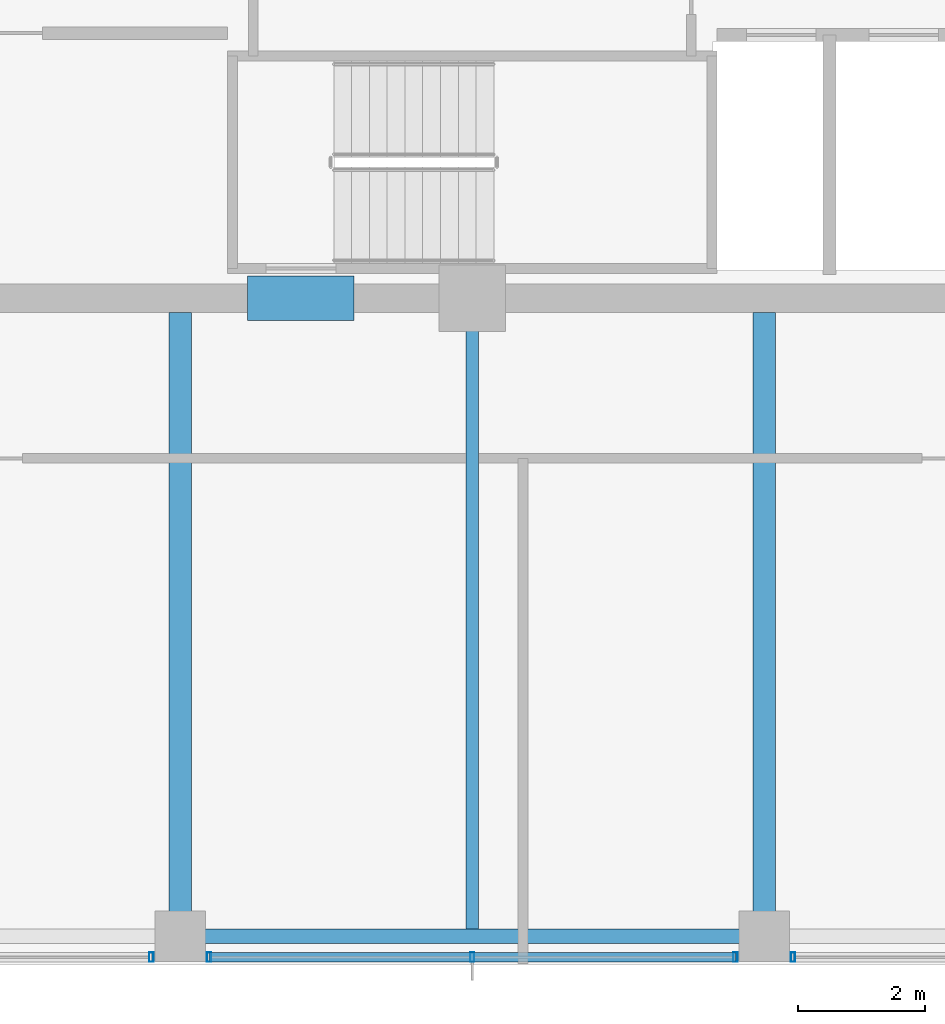
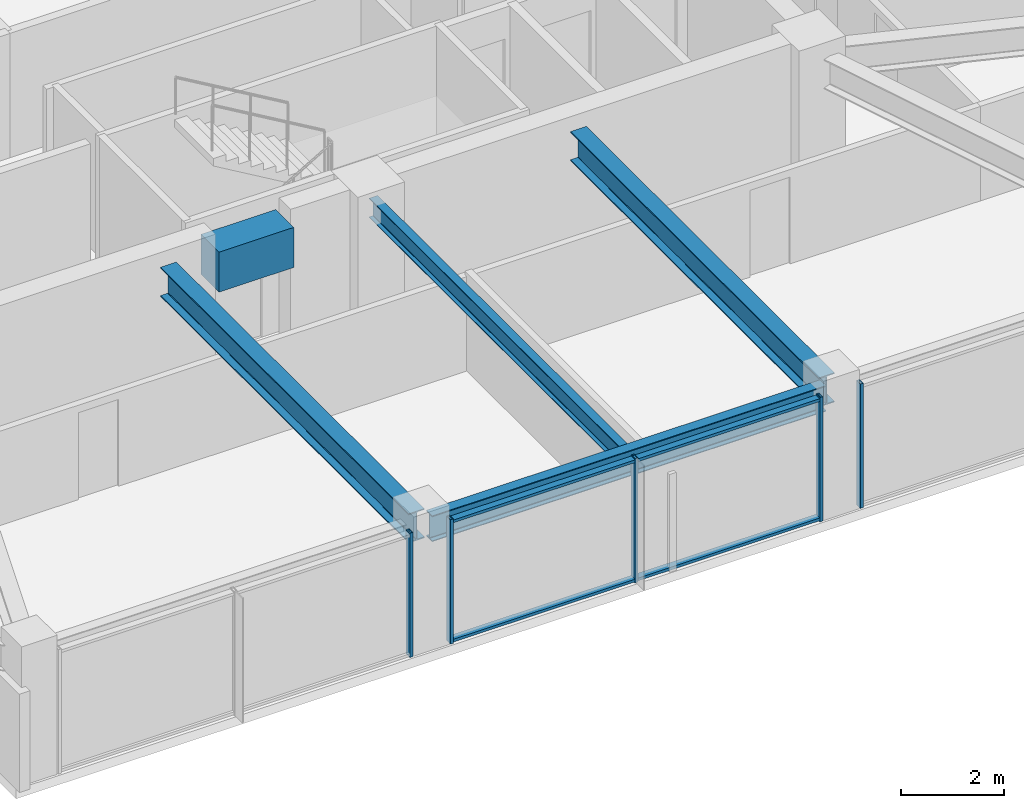
# One storey, part 5 of 34: 7 members, 5 beams, 3 elements without a shape of their own.
"""IFC4 building model written with IfcOpenShell, lengths in metres."""

from ifc_helpers import new_model, si_unit, direction, frame, origin, origin_2d, place, context, subcontext, project, spatial, rectangle, hollow_rectangle, i_section, extrude, material, material_profile, profile_set, type_object, element, aggregate, save


model = new_model("IFC4")

# Units and contexts
model_context = context("Model", 3, precision=1e-05, world=origin(), true_north=direction((0.0, 1.0)))
body_context = subcontext(model_context, "Body", "Model", "MODEL_VIEW")
ifc_project = project(units=[si_unit("LENGTHUNIT", "METRE"), si_unit("AREAUNIT", "SQUARE_METRE"), si_unit("VOLUMEUNIT", "CUBIC_METRE"), si_unit("PLANEANGLEUNIT", "RADIAN"), si_unit("MASSUNIT", "GRAM", prefix="KILO")], contexts=[model_context])

# Site, building, storey
site_placement = place(None, origin())
site = spatial("IfcSite", under=ifc_project, at=site_placement, CompositionType="ELEMENT")
building_placement = place(site_placement, origin())
building = spatial("IfcBuilding", under=site, at=building_placement, Name="Kolvaren Belvedere", CompositionType="ELEMENT")
storey_placement = place(building_placement, frame((0.0, 0.0, 229.5)))
storey = spatial("IfcBuildingStorey", under=building, at=storey_placement, Name="L67", CompositionType="ELEMENT", Elevation=229.5)

# Beams
ifc_material_1 = material(Name="Structural steel ASTM A992 Grade 50", Category="steel")
ifc_material_profile_1 = material_profile(ifc_material_1, i_section(OverallWidth=0.35498046875, OverallDepth=0.696044921875, WebThickness=0.015380859375, FlangeThickness=0.02490234375, FilletRadius=0.02197265625, at=origin_2d()), Name="W27X146")
ifc_profile_set_1 = profile_set([ifc_material_profile_1], Name="Structural steel ASTM A992 Grade 50")
beam_type_1 = type_object("IfcBeamType", Name="BM-GIRD-W27X146", PredefinedType="BEAM", material=ifc_profile_set_1)
for number, where, z_axis, x_axis, name in (
    (1, (4.60009765625, -10.125, 2.60205078125), (0.0, -1.0, 0.0), (1.0, 0.0, 0.0), "L67 South Radial Girder P"),
    (2, (-4.60009765625, -10.125, 2.60205078125), (0.0, -1.0, 0.0), (1.0, 0.0, 0.0), "L67 South Radial Girder M"),
):
    element("IfcBeam", number, at=place(storey_placement, frame(where, z_axis=z_axis, x_axis=x_axis)), inside=storey, type_object=beam_type_1, Name=name, PredefinedType="BEAM", context=body_context, shape_type="SweptSolid", body=[
        extrude(i_section(OverallWidth=0.35498046875, OverallDepth=0.696044921875, WebThickness=0.015380859375, FlangeThickness=0.02490234375, FilletRadius=0.02197265625, at=origin_2d()), origin(), (0.0, 0.0, 1.0), 9.64501953125),
    ])
ifc_material_2 = material(Name="Structural steel ASTM A992 Grade 50", Category="steel")
ifc_material_profile_2 = material_profile(ifc_material_2, i_section(OverallWidth=0.19091796875, OverallDepth=0.4599609375, WebThickness=0.010009765625, FlangeThickness=0.01611328125, FilletRadius=0.014892578125, at=origin_2d()), Name="W18X55")
ifc_profile_set_2 = profile_set([ifc_material_profile_2], Name="Structural steel ASTM A992 Grade 50")
beam_type_2 = type_object("IfcBeamType", Name="BM-JOIST-W18X55", PredefinedType="BEAM", material=ifc_profile_set_2)
beam_1_placement = place(storey_placement, frame((0.0, -10.125, 2.719970703125), z_axis=(0.0, -1.0, 0.0), x_axis=(1.0, 0.0, 0.0)))
element("IfcBeam", 3, at=beam_1_placement, inside=storey, type_object=beam_type_2, Name="L67 South Centre Floor Beam", PredefinedType="BEAM", context=body_context, shape_type="SweptSolid", body=[
    extrude(i_section(OverallWidth=0.19091796875, OverallDepth=0.4599609375, WebThickness=0.010009765625, FlangeThickness=0.01611328125, FilletRadius=0.014892578125, at=origin_2d()), origin(), (0.0, 0.0, 1.0), 9.71044921875),
])
ifc_material_3 = material(Name="Concrete C60/75", Category="concrete")
ifc_material_profile_3 = material_profile(ifc_material_3, rectangle(XDim=0.699951171875, YDim=0.949951171875, at=origin_2d()), Name="RC 700X950")
ifc_profile_set_3 = profile_set([ifc_material_profile_3], Name="Concrete C60/75")
beam_type_3 = type_object("IfcBeamType", Name="BM-LINT-950", PredefinedType="LINTEL", material=ifc_profile_set_3)
beam_2_placement = place(storey_placement, frame((-3.5400390625, -9.89990234375, 2.47509765625), z_axis=(1.0, 0.0, 0.0), x_axis=(0.0, 1.0, 0.0)))
element("IfcBeam", 4, at=beam_2_placement, inside=storey, type_object=beam_type_3, Name="L67 South Core Coupling Lintel", PredefinedType="LINTEL", context=body_context, shape_type="SweptSolid", body=[
    extrude(rectangle(XDim=0.699951171875, YDim=0.949951171875, at=origin_2d()), origin(), (0.0, 0.0, 1.0), 1.679931640625),
])
ifc_material_4 = material(Name="Structural steel ASTM A992 Grade 50", Category="steel")
ifc_material_profile_4 = material_profile(ifc_material_4, i_section(OverallWidth=0.22900390625, OverallDepth=0.612060546875, WebThickness=0.011962890625, FlangeThickness=0.01953125, FilletRadius=0.01806640625, at=origin_2d()), Name="W24X84")
ifc_profile_set_4 = profile_set([ifc_material_profile_4], Name="Structural steel ASTM A992 Grade 50")
beam_type_4 = type_object("IfcBeamType", Name="BM-SPAN-W24X84", PredefinedType="SPANDREL", material=ifc_profile_set_4)
beam_3_placement = place(storey_placement, frame((-4.419921875, -19.949951171875, 2.64404296875), z_axis=(1.0, 0.0, 0.0), x_axis=(0.0, 1.0, 0.0)))
element("IfcBeam", 5, at=beam_3_placement, inside=storey, type_object=beam_type_4, Name="L67 Perimeter Spandrel S2-S3", PredefinedType="SPANDREL", context=body_context, shape_type="SweptSolid", body=[
    extrude(i_section(OverallWidth=0.22900390625, OverallDepth=0.612060546875, WebThickness=0.011962890625, FlangeThickness=0.01953125, FilletRadius=0.01806640625, at=origin_2d()), origin(), (0.0, 0.0, 1.0), 8.83984375),
])

# Curtain wall, member
ifc_material_5 = material(Name="Anodised pale-metal aluminium AA 6063-T6", Category="aluminium")
curtain_wall_type = type_object("IfcCurtainWallType", Name="CW-Z5-HIGH", PredefinedType="NOTDEFINED", material=ifc_material_5)
curtain_wall_1_placement = place(storey_placement, origin())
curtain_wall_1 = element("IfcCurtainWall", 6, at=curtain_wall_1_placement, inside=storey, type_object=curtain_wall_type, Name="L67 Unitised Curtain Wall FCW-L67-S-B1", PredefinedType="NOTDEFINED")
ifc_material_6 = material(Name="Anodised pale-metal aluminium AA 6063-T6", Category="aluminium")
ifc_material_profile_5 = material_profile(ifc_material_6, hollow_rectangle(XDim=0.070068359375, YDim=0.14990234375, WallThickness=0.004150390625, at=origin_2d()), Name="ALU-MUL-150X70")
ifc_profile_set_5 = profile_set([ifc_material_profile_5], Name="Anodised pale-metal aluminium AA 6063-T6")
member_type_1 = type_object("IfcMemberType", Name="CW-MUL-150", PredefinedType="MULLION", material=ifc_profile_set_5)
member_1_placement = place(storey_placement, frame((5.054931640625, -20.280029296875, 0.0), z_axis=(0.0, 0.0, 1.0), x_axis=(1.0, 0.0, 0.0)))
member_1 = element("IfcMember", 7, at=member_1_placement, type_object=member_type_1, Name="FCW-L67-S-B1 Unitised Mullion 3", PredefinedType="MULLION", context=body_context, shape_type="SweptSolid", body=[
    extrude(hollow_rectangle(XDim=0.070068359375, YDim=0.14990234375, WallThickness=0.004150390625, at=origin_2d()), origin(), (0.0, 0.0, 1.0), 2.949951171875),
])
aggregate(curtain_wall_1, [member_1])

# Curtain wall, members
curtain_wall_2_placement = place(storey_placement, origin())
curtain_wall_2 = element("IfcCurtainWall", 8, at=curtain_wall_2_placement, inside=storey, type_object=curtain_wall_type, Name="L67 Unitised Curtain Wall FCW-L67-S-B2", PredefinedType="NOTDEFINED")
member_2_placement = place(storey_placement, frame((4.14501953125, -20.280029296875, 0.0), z_axis=(0.0, 0.0, 1.0), x_axis=(1.0, 0.0, 0.0)))
member_2 = element("IfcMember", 9, at=member_2_placement, type_object=member_type_1, Name="FCW-L67-S-B2 Unitised Mullion 1", PredefinedType="MULLION", context=body_context, shape_type="SweptSolid", body=[
    extrude(hollow_rectangle(XDim=0.070068359375, YDim=0.14990234375, WallThickness=0.004150390625, at=origin_2d()), origin(), (0.0, 0.0, 1.0), 2.949951171875),
])
member_3_placement = place(storey_placement, frame((0.0, -20.280029296875, 0.0), z_axis=(0.0, 0.0, 1.0), x_axis=(1.0, 0.0, 0.0)))
member_3 = element("IfcMember", 10, at=member_3_placement, type_object=member_type_1, Name="FCW-L67-S-B2 Unitised Mullion 2", PredefinedType="MULLION", context=body_context, shape_type="SweptSolid", body=[
    extrude(hollow_rectangle(XDim=0.070068359375, YDim=0.14990234375, WallThickness=0.004150390625, at=origin_2d()), origin(), (0.0, 0.0, 1.0), 2.949951171875),
])
member_4_placement = place(storey_placement, frame((-4.14501953125, -20.280029296875, 0.0), z_axis=(0.0, 0.0, 1.0), x_axis=(1.0, 0.0, 0.0)))
member_4 = element("IfcMember", 11, at=member_4_placement, type_object=member_type_1, Name="FCW-L67-S-B2 Unitised Mullion 3", PredefinedType="MULLION", context=body_context, shape_type="SweptSolid", body=[
    extrude(hollow_rectangle(XDim=0.070068359375, YDim=0.14990234375, WallThickness=0.004150390625, at=origin_2d()), origin(), (0.0, 0.0, 1.0), 2.949951171875),
])

# Curtain wall, member
curtain_wall_3_placement = place(storey_placement, origin())
curtain_wall_3 = element("IfcCurtainWall", 12, at=curtain_wall_3_placement, inside=storey, type_object=curtain_wall_type, Name="L67 Unitised Curtain Wall FCW-L67-S-B3", PredefinedType="NOTDEFINED")
member_5_placement = place(storey_placement, frame((-5.054931640625, -20.280029296875, 0.0), z_axis=(0.0, 0.0, 1.0), x_axis=(1.0, 0.0, 0.0)))
member_5 = element("IfcMember", 13, at=member_5_placement, type_object=member_type_1, Name="FCW-L67-S-B3 Unitised Mullion 1", PredefinedType="MULLION", context=body_context, shape_type="SweptSolid", body=[
    extrude(hollow_rectangle(XDim=0.070068359375, YDim=0.14990234375, WallThickness=0.004150390625, at=origin_2d()), origin(), (0.0, 0.0, 1.0), 2.949951171875),
])
aggregate(curtain_wall_3, [member_5])

# Member
ifc_material_7 = material(Name="Anodised pale-metal aluminium AA 6063-T6", Category="aluminium")
ifc_material_profile_6 = material_profile(ifc_material_7, hollow_rectangle(XDim=0.06494140625, YDim=0.14990234375, WallThickness=0.00390625, at=origin_2d()), Name="ALU-TRN-150X65")
ifc_profile_set_6 = profile_set([ifc_material_profile_6], Name="Anodised pale-metal aluminium AA 6063-T6")
member_type_2 = type_object("IfcMemberType", Name="CW-TRN-150", PredefinedType="USERDEFINED", material=ifc_profile_set_6)
member_6_placement = place(storey_placement, frame((4.14501953125, -20.280029296875, 0.06005859375), z_axis=(-1.0, 0.0, 0.0), x_axis=(0.0, 0.0, 1.0)))
member_6 = element("IfcMember", 14, at=member_6_placement, type_object=member_type_2, Name="FCW-L67-S-B2 Sill Transom", ObjectType="TRANSOM", PredefinedType="USERDEFINED", context=body_context, shape_type="SweptSolid", body=[
    extrude(hollow_rectangle(XDim=0.06494140625, YDim=0.14990234375, WallThickness=0.00390625, at=origin_2d()), origin(), (0.0, 0.0, 1.0), 8.2900390625),
])

member_7_placement = place(storey_placement, frame((4.14501953125, -20.280029296875, 2.889892578125), z_axis=(-1.0, 0.0, 0.0), x_axis=(0.0, 0.0, 1.0)))
member_7 = element("IfcMember", 15, at=member_7_placement, type_object=member_type_2, Name="FCW-L67-S-B2 Head Transom", ObjectType="TRANSOM", PredefinedType="USERDEFINED", context=body_context, shape_type="SweptSolid", body=[
    extrude(hollow_rectangle(XDim=0.06494140625, YDim=0.14990234375, WallThickness=0.00390625, at=origin_2d()), origin(), (0.0, 0.0, 1.0), 8.2900390625),
])

aggregate(curtain_wall_2, [member_2, member_3, member_4, member_6, member_7])

save(model, "model.ifc")
